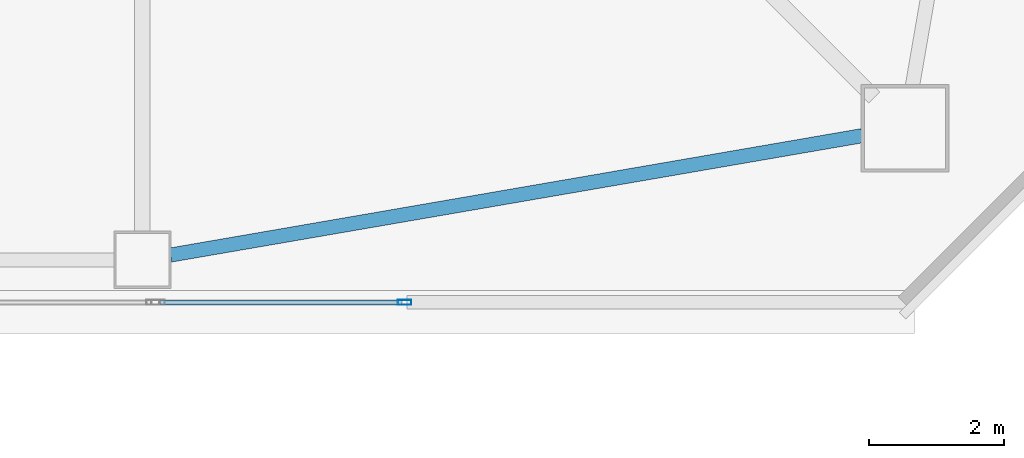
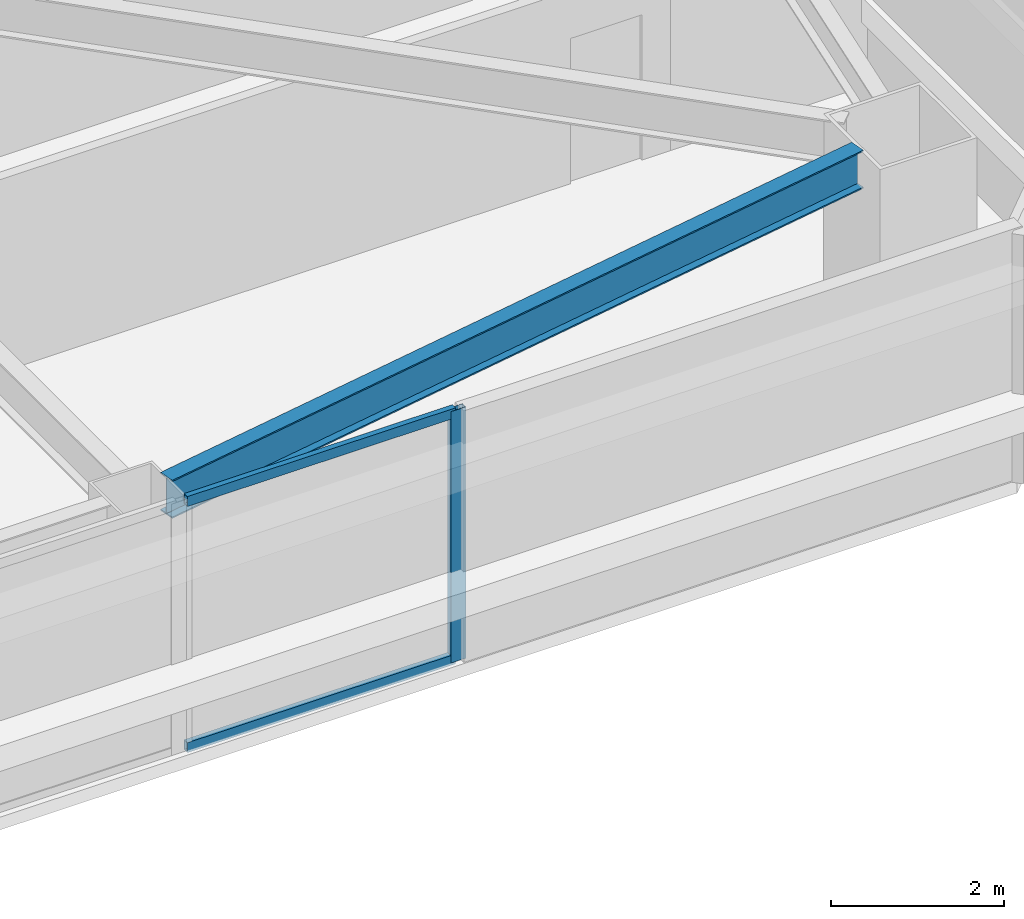
# One storey, part 6 of 40: 3 members, 1 beam, 1 element without a shape of its own.
"""IFC4 building model written with IfcOpenShell, lengths in metres."""

from ifc_helpers import new_model, si_unit, direction, frame, origin, origin_2d, place, context, subcontext, project, spatial, hollow_rectangle, i_section, extrude, material, material_profile, profile_set, type_object, element, aggregate, save


model = new_model("IFC4")

# Units and contexts
model_context = context("Model", 3, precision=1e-05, world=origin(), true_north=direction((0.0, 1.0)))
body_context = subcontext(model_context, "Body", "Model", "MODEL_VIEW")
ifc_project = project(units=[si_unit("LENGTHUNIT", "METRE"), si_unit("AREAUNIT", "SQUARE_METRE"), si_unit("VOLUMEUNIT", "CUBIC_METRE"), si_unit("PLANEANGLEUNIT", "RADIAN"), si_unit("MASSUNIT", "GRAM", prefix="KILO")], contexts=[model_context])

# Site, building, storey
site_placement = place(None, origin())
site = spatial("IfcSite", under=ifc_project, at=site_placement, CompositionType="ELEMENT")
building_placement = place(site_placement, origin())
building = spatial("IfcBuilding", under=site, at=building_placement, Name="Tashvorn Skyway Center", CompositionType="ELEMENT")
storey_placement = place(building_placement, frame((0.0, 0.0, 142.800048828125)))
storey = spatial("IfcBuildingStorey", under=building, at=storey_placement, Name="L38", CompositionType="ELEMENT", Elevation=142.800048828125)

# Beam
ifc_material_1 = material(Name="Steel ASTM A992 Grade 50", Category="steel")
ifc_material_profile_1 = material_profile(ifc_material_1, i_section(OverallWidth=0.2109375, OverallDepth=0.5390625, WebThickness=0.01171875, FlangeThickness=0.018798828125, at=origin_2d()), Name="W21X73")
ifc_profile_set_1 = profile_set([ifc_material_profile_1], Name="Steel ASTM A992 Grade 50")
beam_type = type_object("IfcBeamType", Name="BM-SPANDREL-W21X73", PredefinedType="SPANDREL", material=ifc_profile_set_1)
beam_placement = place(storey_placement, frame((47.81396484375, 13.42138671875, 3.100341796875), z_axis=(0.985432458462, 0.170067250846, 0.0), x_axis=(-0.170067250846, 0.985432458462, 0.0)))
element("IfcBeam", 1, at=beam_placement, inside=storey, type_object=beam_type, Name="Tower 1 L38 Spandrel Beam 03", PredefinedType="SPANDREL", context=body_context, shape_type="SweptSolid", body=[
    extrude(i_section(OverallWidth=0.2109375, OverallDepth=0.5390625, WebThickness=0.01171875, FlangeThickness=0.018798828125, at=origin_2d()), origin(), (0.0, 0.0, 1.0), 10.402099609375),
])

# Curtain wall, members
ifc_material_2 = material(Name="Thermally broken bronze-anodized aluminium 6063-T6", Category="aluminium")
curtain_wall_type = type_object("IfcCurtainWallType", Name="CW-CW-Z3", PredefinedType="NOTDEFINED", material=ifc_material_2)
curtain_wall_placement = place(storey_placement, origin())
curtain_wall = element("IfcCurtainWall", 2, at=curtain_wall_placement, inside=storey, type_object=curtain_wall_type, Name="Tower 1 L38 South Unitised Curtain Wall Glazing Group 1", PredefinedType="NOTDEFINED")
ifc_material_profile_2 = material_profile(ifc_material_2, hollow_rectangle(XDim=0.074951171875, YDim=0.199951171875, WallThickness=0.00439453125, at=origin_2d()), Name="ALU-MULL-75x200")
ifc_profile_set_2 = profile_set([ifc_material_profile_2], Name="Thermally broken bronze-anodized aluminium 6063-T6")
member_type_1 = type_object("IfcMemberType", Name="CWM-CW-Z3", PredefinedType="MULLION", material=ifc_profile_set_2)
member_1_placement = place(storey_placement, frame((51.28466796875, 12.719970703125, 0.0), z_axis=(0.0, 0.0, 1.0), x_axis=(0.0, -1.0, 0.0)))
member_1 = element("IfcMember", 3, at=member_1_placement, type_object=member_type_1, Name="CW-Z3 mullion 1", PredefinedType="MULLION", context=body_context, shape_type="SweptSolid", body=[
    extrude(hollow_rectangle(XDim=0.074951171875, YDim=0.199951171875, WallThickness=0.00439453125, at=origin_2d()), origin(), (0.0, 0.0, 1.0), 3.550048828125),
])
ifc_material_profile_3 = material_profile(ifc_material_2, hollow_rectangle(XDim=0.074951171875, YDim=0.139892578125, WallThickness=0.004150390625, at=origin_2d()), Name="ALU-TRAN-75x140")
ifc_profile_set_3 = profile_set([ifc_material_profile_3], Name="Thermally broken bronze-anodized aluminium 6063-T6")
member_type_2 = type_object("IfcMemberType", Name="CWT-CW-Z3", PredefinedType="USERDEFINED", material=ifc_profile_set_3)
member_2_placement = place(storey_placement, frame((51.247314453125, 12.719970703125, 0.037353515625), z_axis=(-1.0, 0.0, 0.0), x_axis=(0.0, -1.0, 0.0)))
member_2 = element("IfcMember", 4, at=member_2_placement, type_object=member_type_2, Name="CW-Z3 transom 1.1", ObjectType="TRANSOM", PredefinedType="USERDEFINED", context=body_context, shape_type="SweptSolid", body=[
    extrude(hollow_rectangle(XDim=0.074951171875, YDim=0.139892578125, WallThickness=0.004150390625, at=origin_2d()), origin(), (0.0, 0.0, 1.0), 3.5791015625),
])
member_3_placement = place(storey_placement, frame((51.247314453125, 12.719970703125, 3.512451171875), z_axis=(-1.0, 0.0, 0.0), x_axis=(0.0, -1.0, 0.0)))
member_3 = element("IfcMember", 5, at=member_3_placement, type_object=member_type_2, Name="CW-Z3 transom 1.2", ObjectType="TRANSOM", PredefinedType="USERDEFINED", context=body_context, shape_type="SweptSolid", body=[
    extrude(hollow_rectangle(XDim=0.074951171875, YDim=0.139892578125, WallThickness=0.004150390625, at=origin_2d()), origin(), (0.0, 0.0, 1.0), 3.5791015625),
])
aggregate(curtain_wall, [member_1, member_2, member_3])

save(model, "model.ifc")
